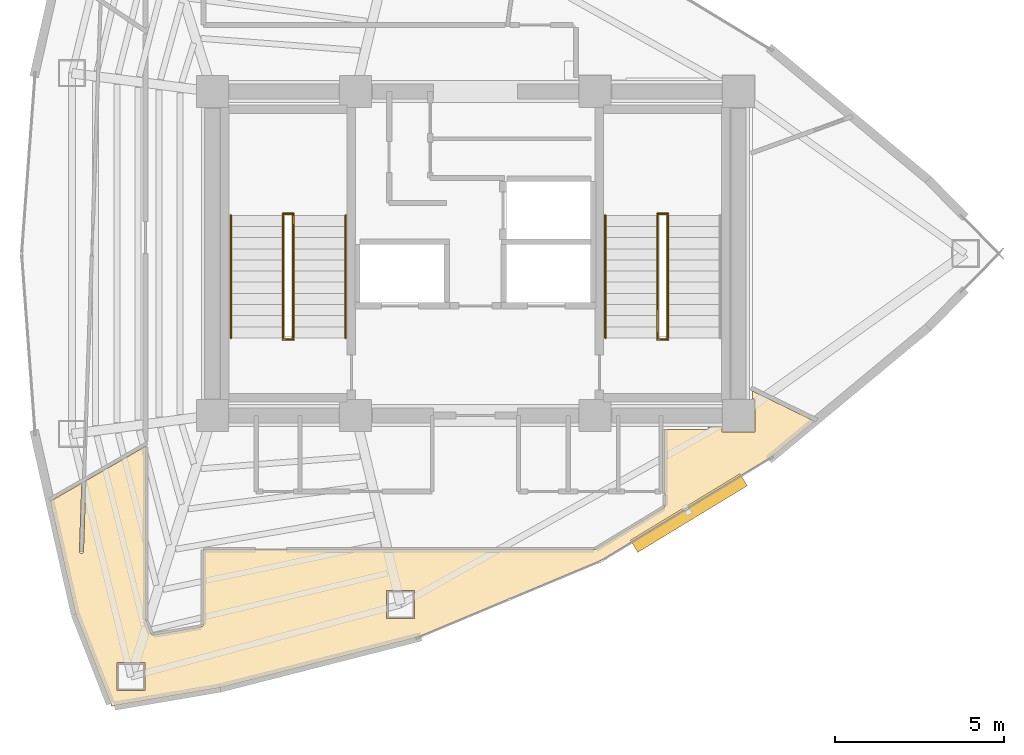
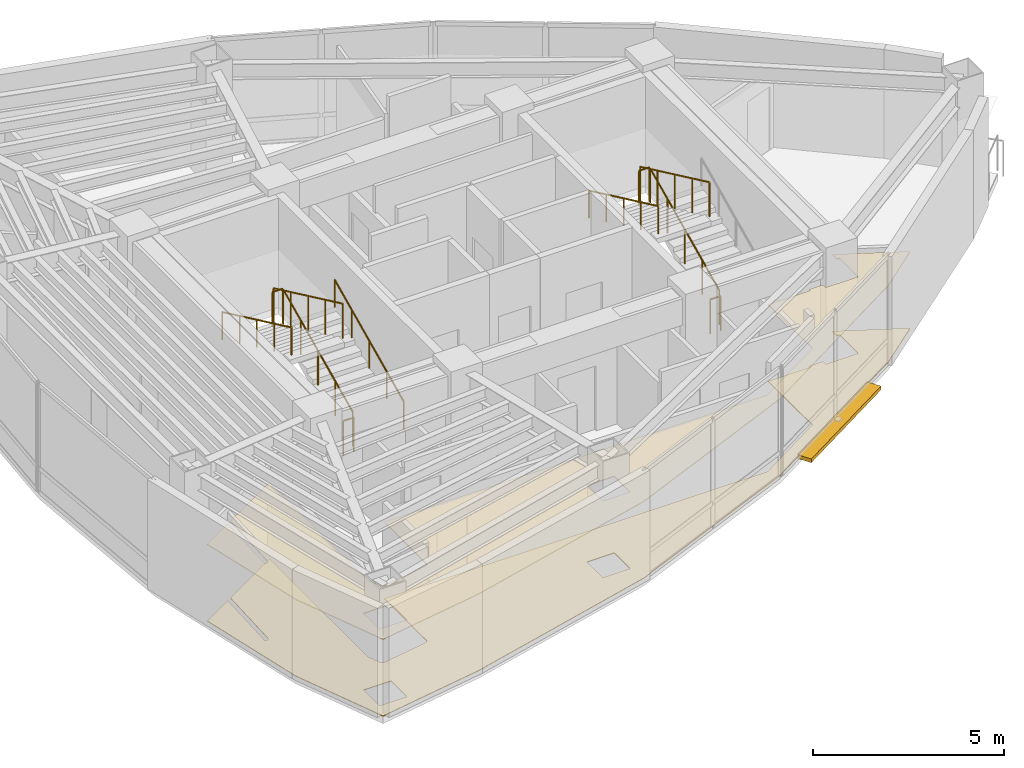
# One storey, part 14 of 16: 11 railings, 2 coverings, 1 shading device.
"""IFC4 building model written with IfcOpenShell, lengths in metres."""

from ifc_helpers import new_model, si_unit, direction, frame, origin, origin_2d, place, context, subcontext, project, spatial, polyline, rectangle, circle, outline, extrude, material, layer, layer_set, type_object, element, save


model = new_model("IFC4")

# Units and contexts
model_context = context("Model", 3, precision=1e-05, world=origin(), true_north=direction((0.0, 1.0)))
body_context = subcontext(model_context, "Body", "Model", "MODEL_VIEW")
ifc_project = project(units=[si_unit("LENGTHUNIT", "METRE"), si_unit("AREAUNIT", "SQUARE_METRE"), si_unit("VOLUMEUNIT", "CUBIC_METRE"), si_unit("PLANEANGLEUNIT", "RADIAN"), si_unit("MASSUNIT", "GRAM", prefix="KILO")], contexts=[model_context])

# Site, building, storey
site_placement = place(None, origin())
site = spatial("IfcSite", under=ifc_project, at=site_placement, CompositionType="ELEMENT")
building_placement = place(site_placement, origin())
building = spatial("IfcBuilding", under=site, at=building_placement, Name="Menara Vayukalpa", CompositionType="ELEMENT")
storey_placement = place(building_placement, frame((0.0, 0.0, 280.6201171875)))
storey = spatial("IfcBuildingStorey", under=building, at=storey_placement, Name="L71", CompositionType="ELEMENT", Elevation=280.6201171875)

# Coverings
ifc_material_1 = material(Name="Mineral Fibre Acoustic Ceiling Tile", Category="masonry")
ifc_layer_1 = layer(ifc_material_1, 0.02490234375)
ifc_layer_set_1 = layer_set([ifc_layer_1], Name="Mineral Fibre Acoustic Ceiling Tile")
covering_type_1 = type_object("IfcCoveringType", Name="COV-CLG1", PredefinedType="CEILING", material=ifc_layer_set_1)
covering_1_placement = place(storey_placement, frame((0.0, 0.0, 2.449951171875)))
element("IfcCovering", 1, at=covering_1_placement, inside=storey, type_object=covering_type_1, Name="L71 Client Conference Room Acoustic Ceiling", PredefinedType="CEILING", context=body_context, shape_type="SweptSolid", body=[
    extrude(outline(polyline([(23.878662109375, 10.624755859375), (23.877197265625, 10.624267578125), (18.028564453125, 9.1328125), (18.027587890625, 9.132568359375), (14.82861328125, 8.58935546875), (14.827392578125, 8.589111328125), (14.826416015625, 8.589111328125), (14.82568359375, 8.58935546875), (14.82470703125, 8.58935546875), (14.82373046875, 8.589599609375), (14.82275390625, 8.590087890625), (14.822021484375, 8.590576171875), (14.821044921875, 8.591064453125), (14.8203125, 8.591552734375), (14.819580078125, 8.59228515625), (14.81884765625, 8.593017578125), (14.818359375, 8.59375), (14.81787109375, 8.5947265625), (14.8173828125, 8.595458984375), (13.751953125, 11.308837890625), (13.751708984375, 11.309814453125), (13.75146484375, 11.310302734375), (13.00048828125, 14.648193359375), (13.000244140625, 14.649169921875), (13.000244140625, 14.650146484375), (13.000244140625, 14.651123046875), (13.000244140625, 14.652099609375), (13.00048828125, 14.653076171875), (13.0009765625, 14.654052734375), (13.001220703125, 14.65478515625), (13.001708984375, 14.65576171875), (13.002197265625, 14.656494140625), (13.0029296875, 14.6572265625), (13.003662109375, 14.657958984375), (13.00439453125, 14.658447265625), (13.005126953125, 14.6591796875), (13.916015625, 15.184814453125), (13.916748046875, 15.185302734375), (13.917724609375, 15.185791015625), (13.918701171875, 15.185791015625), (13.91943359375, 15.18603515625), (13.92041015625, 15.186279296875), (13.92138671875, 15.186279296875), (13.92236328125, 15.18603515625), (13.92333984375, 15.185791015625), (13.92431640625, 15.185546875), (13.92529296875, 15.185302734375), (13.926025390625, 15.184814453125), (13.927001953125, 15.18408203125), (13.927490234375, 15.18359375), (13.92822265625, 15.182861328125), (13.928955078125, 15.18212890625), (13.929443359375, 15.181396484375), (13.929931640625, 15.180419921875), (13.930419921875, 15.1796875), (13.9306640625, 15.1787109375), (13.930908203125, 15.177734375), (13.930908203125, 15.1767578125), (13.930908203125, 15.17578125), (13.861083984375, 13.17333984375), (13.861083984375, 13.167236328125), (13.86181640625, 13.161376953125), (13.863037109375, 13.155517578125), (13.86474609375, 13.14990234375), (13.8671875, 13.14453125), (13.869873046875, 13.139404296875), (13.873291015625, 13.134521484375), (13.876953125, 13.130126953125), (13.881103515625, 13.1259765625), (13.8857421875, 13.122314453125), (13.890869140625, 13.119140625), (13.89599609375, 13.116455078125), (13.901611328125, 13.1142578125), (13.9072265625, 13.112548828125), (13.912841796875, 13.111572265625), (13.918701171875, 13.111083984375), (13.9248046875, 13.111083984375), (13.9306640625, 13.11181640625), (13.936279296875, 13.113037109375), (13.94189453125, 13.114990234375), (13.947265625, 13.1171875), (13.952392578125, 13.1201171875), (13.95751953125, 13.123291015625), (13.9619140625, 13.127197265625), (13.9658203125, 13.13134765625), (13.969482421875, 13.135986328125), (13.972900390625, 13.140869140625), (13.9755859375, 13.14599609375), (13.9775390625, 13.151611328125), (13.9794921875, 13.1572265625), (13.98046875, 13.1630859375), (13.98095703125, 13.169189453125), (14.053955078125, 15.259033203125), (14.053955078125, 15.26025390625), (14.05419921875, 15.26123046875), (14.054443359375, 15.26220703125), (14.054931640625, 15.26318359375), (14.055419921875, 15.263916015625), (14.055908203125, 15.264892578125), (14.056396484375, 15.265625), (14.057373046875, 15.266357421875), (14.05810546875, 15.266845703125), (14.058837890625, 15.267578125), (15.81494140625, 16.281494140625), (15.81591796875, 16.28173828125), (15.81689453125, 16.2822265625), (15.81787109375, 16.282470703125), (15.81884765625, 16.28271484375), (15.81982421875, 16.28271484375), (15.82080078125, 16.28271484375), (15.82177734375, 16.282470703125), (15.82275390625, 16.2822265625), (15.82373046875, 16.281982421875), (15.82470703125, 16.281494140625), (15.825439453125, 16.281005859375), (15.826171875, 16.280517578125), (15.826904296875, 16.27978515625), (15.82763671875, 16.279052734375), (15.828369140625, 16.2783203125), (15.828857421875, 16.277587890625), (15.8291015625, 16.276611328125), (15.82958984375, 16.275634765625), (15.829833984375, 16.274658203125), (15.830078125, 16.273681640625), (15.830078125, 16.272705078125), (15.830078125, 11.146484375), (15.830322265625, 11.1396484375), (15.831298828125, 11.13330078125), (15.832763671875, 11.126708984375), (15.8349609375, 11.12060546875), (15.984619140625, 10.7392578125), (15.987548828125, 10.732666015625), (15.990966796875, 10.726806640625), (15.994873046875, 10.72119140625), (15.999267578125, 10.716064453125), (16.00439453125, 10.71142578125), (16.009765625, 10.707275390625), (16.015625, 10.70361328125), (16.021484375, 10.700439453125), (16.02783203125, 10.697998046875), (16.034423828125, 10.6962890625), (16.041259765625, 10.695068359375), (16.048095703125, 10.694580078125), (16.054931640625, 10.694580078125), (16.06201171875, 10.695556640625), (17.471435546875, 10.934814453125), (17.478515625, 10.936279296875), (17.485107421875, 10.938720703125), (17.49169921875, 10.94140625), (17.497802734375, 10.94482421875), (17.50341796875, 10.94921875), (17.5087890625, 10.95361328125), (17.513427734375, 10.958740234375), (17.517822265625, 10.96435546875), (17.521484375, 10.97021484375), (17.5244140625, 10.9765625), (17.52685546875, 10.983154296875), (17.528564453125, 10.989990234375), (17.529541015625, 10.996826171875), (17.530029296875, 11.004150390625), (17.530029296875, 13.2099609375), (17.530029296875, 13.2109375), (17.5302734375, 13.2119140625), (17.530517578125, 13.212890625), (17.53076171875, 13.2138671875), (17.53125, 13.214599609375), (17.53173828125, 13.215576171875), (17.5322265625, 13.21630859375), (17.532958984375, 13.217041015625), (17.53369140625, 13.2177734375), (17.534423828125, 13.21826171875), (17.535400390625, 13.21875), (17.5361328125, 13.21923828125), (17.537109375, 13.219482421875), (17.5380859375, 13.2197265625), (17.5390625, 13.219970703125), (17.5400390625, 13.219970703125), (29.109619140625, 13.219970703125), (29.11669921875, 13.220458984375), (29.12353515625, 13.221435546875), (29.13037109375, 13.22314453125), (29.13720703125, 13.2255859375), (29.153076171875, 13.232177734375), (29.157958984375, 13.234375), (29.16259765625, 13.237060546875), (31.18603515625, 14.46630859375), (31.1923828125, 14.470458984375), (31.19775390625, 14.47509765625), (31.20263671875, 14.480224609375), (31.20703125, 14.48583984375), (31.2109375, 14.491943359375), (31.214111328125, 14.498291015625), (31.216552734375, 14.5048828125), (31.218505859375, 14.511962890625), (31.219482421875, 14.51904296875), (31.219970703125, 14.5263671875), (31.219970703125, 14.849609375), (31.219482421875, 14.856689453125), (31.21875, 14.86376953125), (31.217041015625, 14.870361328125), (31.214599609375, 14.876708984375), (31.2119140625, 14.8828125), (31.211669921875, 14.883056640625), (31.211181640625, 14.8837890625), (31.210693359375, 14.884765625), (31.21044921875, 14.8857421875), (31.210205078125, 14.88671875), (31.2099609375, 14.8876953125), (31.2099609375, 14.888671875), (31.2099609375, 16.780029296875), (31.2099609375, 16.781005859375), (31.210205078125, 16.781982421875), (31.21044921875, 16.782958984375), (31.210693359375, 16.78369140625), (31.211181640625, 16.78466796875), (31.211669921875, 16.78564453125), (31.21240234375, 16.786376953125), (31.212890625, 16.787109375), (31.213623046875, 16.78759765625), (31.21435546875, 16.788330078125), (31.21533203125, 16.788818359375), (31.21630859375, 16.789306640625), (31.217041015625, 16.78955078125), (31.218017578125, 16.789794921875), (31.218994140625, 16.7900390625), (31.219970703125, 16.7900390625), (32.489990234375, 16.7900390625), (32.489990234375, 16.85009765625), (32.909912109375, 16.85009765625), (32.909912109375, 16.7099609375), (33.889892578125, 16.7099609375), (33.889892578125, 17.68994140625), (33.81005859375, 17.68994140625), (33.81005859375, 17.9130859375), (33.81005859375, 17.9140625), (33.810302734375, 17.914794921875), (33.810302734375, 17.916015625), (33.810791015625, 17.916748046875), (33.81103515625, 17.91748046875), (33.8115234375, 17.91845703125), (33.812255859375, 17.919189453125), (33.812744140625, 17.919921875), (33.8134765625, 17.920654296875), (33.814208984375, 17.921142578125), (33.815185546875, 17.921630859375), (33.81591796875, 17.922119140625), (33.81689453125, 17.922607421875), (33.81787109375, 17.9228515625), (33.81884765625, 17.9228515625), (33.819580078125, 17.923095703125), (33.82080078125, 17.923095703125), (33.821533203125, 17.9228515625), (33.822509765625, 17.922607421875), (33.823486328125, 17.92236328125), (33.824462890625, 17.922119140625), (35.638916015625, 17.037109375), (35.6396484375, 17.03662109375), (35.640380859375, 17.035888671875), (35.64111328125, 17.035400390625), (35.641845703125, 17.03466796875), (35.642578125, 17.03369140625), (35.64306640625, 17.032958984375), (35.6435546875, 17.031982421875), (35.643798828125, 17.031005859375), (35.644287109375, 17.0302734375), (35.644287109375, 17.029296875), (35.644287109375, 17.0283203125), (35.644287109375, 17.027099609375), (35.644287109375, 17.026123046875), (35.64404296875, 17.025146484375), (35.643798828125, 17.0244140625), (35.643310546875, 17.0234375), (35.642822265625, 17.0224609375), (35.64208984375, 17.021728515625), (35.6416015625, 17.02099609375), (35.640869140625, 17.020263671875), (34.374755859375, 15.97021484375), (34.37353515625, 15.969482421875), (29.3271484375, 12.904052734375), (29.326416015625, 12.90380859375), (29.32568359375, 12.9033203125), (23.878662109375, 10.624755859375)]), holes=[polyline([(14.97412109375, 9.870361328125), (14.97412109375, 9.040283203125), (15.80419921875, 9.040283203125), (15.80419921875, 9.870361328125), (14.97412109375, 9.870361328125)]), polyline([(23.796875, 12.01025390625), (22.966796875, 12.01025390625), (22.966796875, 11.18017578125), (23.796875, 11.18017578125), (23.796875, 12.01025390625)])]), origin(), (0.0, 0.0, 1.0), 0.02490234375),
])
ifc_material_2 = material(Name="Porcelain Stoneware Floor Tile", Category="masonry")
ifc_layer_2 = layer(ifc_material_2, 0.02001953125)
ifc_layer_set_2 = layer_set([ifc_layer_2], Name="Porcelain Stoneware Floor Tile")
covering_type_2 = type_object("IfcCoveringType", Name="COV-FLR1", PredefinedType="FLOORING", material=ifc_layer_set_2)
covering_2_placement = place(storey_placement, origin())
element("IfcCovering", 2, at=covering_2_placement, inside=storey, type_object=covering_type_2, Name="L71 Client Conference Room Porcelain Flooring", PredefinedType="FLOORING", context=body_context, shape_type="SweptSolid", body=[
    extrude(outline(polyline([(23.878662109375, 10.624755859375), (23.877197265625, 10.624267578125), (18.028564453125, 9.1328125), (18.027587890625, 9.132568359375), (14.82861328125, 8.58935546875), (14.827392578125, 8.589111328125), (14.826416015625, 8.589111328125), (14.82568359375, 8.58935546875), (14.82470703125, 8.58935546875), (14.82373046875, 8.589599609375), (14.82275390625, 8.590087890625), (14.822021484375, 8.590576171875), (14.821044921875, 8.591064453125), (14.8203125, 8.591552734375), (14.819580078125, 8.59228515625), (14.81884765625, 8.593017578125), (14.818359375, 8.59375), (14.81787109375, 8.5947265625), (14.8173828125, 8.595458984375), (13.751953125, 11.308837890625), (13.751708984375, 11.309814453125), (13.75146484375, 11.310302734375), (13.00048828125, 14.648193359375), (13.000244140625, 14.649169921875), (13.000244140625, 14.650146484375), (13.000244140625, 14.651123046875), (13.000244140625, 14.652099609375), (13.00048828125, 14.653076171875), (13.0009765625, 14.654052734375), (13.001220703125, 14.65478515625), (13.001708984375, 14.65576171875), (13.002197265625, 14.656494140625), (13.0029296875, 14.6572265625), (13.003662109375, 14.657958984375), (13.00439453125, 14.658447265625), (13.005126953125, 14.6591796875), (13.916015625, 15.184814453125), (13.916748046875, 15.185302734375), (13.917724609375, 15.185791015625), (13.918701171875, 15.185791015625), (13.91943359375, 15.18603515625), (13.92041015625, 15.186279296875), (13.92138671875, 15.186279296875), (13.92236328125, 15.18603515625), (13.92333984375, 15.185791015625), (13.92431640625, 15.185546875), (13.92529296875, 15.185302734375), (13.926025390625, 15.184814453125), (13.927001953125, 15.18408203125), (13.927490234375, 15.18359375), (13.92822265625, 15.182861328125), (13.928955078125, 15.18212890625), (13.929443359375, 15.181396484375), (13.929931640625, 15.180419921875), (13.930419921875, 15.1796875), (13.9306640625, 15.1787109375), (13.930908203125, 15.177734375), (13.930908203125, 15.1767578125), (13.930908203125, 15.17578125), (13.861083984375, 13.17333984375), (13.861083984375, 13.167236328125), (13.86181640625, 13.161376953125), (13.863037109375, 13.155517578125), (13.86474609375, 13.14990234375), (13.8671875, 13.14453125), (13.869873046875, 13.139404296875), (13.873291015625, 13.134521484375), (13.876953125, 13.130126953125), (13.881103515625, 13.1259765625), (13.8857421875, 13.122314453125), (13.890869140625, 13.119140625), (13.89599609375, 13.116455078125), (13.901611328125, 13.1142578125), (13.9072265625, 13.112548828125), (13.912841796875, 13.111572265625), (13.918701171875, 13.111083984375), (13.9248046875, 13.111083984375), (13.9306640625, 13.11181640625), (13.936279296875, 13.113037109375), (13.94189453125, 13.114990234375), (13.947265625, 13.1171875), (13.952392578125, 13.1201171875), (13.95751953125, 13.123291015625), (13.9619140625, 13.127197265625), (13.9658203125, 13.13134765625), (13.969482421875, 13.135986328125), (13.972900390625, 13.140869140625), (13.9755859375, 13.14599609375), (13.9775390625, 13.151611328125), (13.9794921875, 13.1572265625), (13.98046875, 13.1630859375), (13.98095703125, 13.169189453125), (14.053955078125, 15.259033203125), (14.053955078125, 15.26025390625), (14.05419921875, 15.26123046875), (14.054443359375, 15.26220703125), (14.054931640625, 15.26318359375), (14.055419921875, 15.263916015625), (14.055908203125, 15.264892578125), (14.056396484375, 15.265625), (14.057373046875, 15.266357421875), (14.05810546875, 15.266845703125), (14.058837890625, 15.267578125), (15.81494140625, 16.281494140625), (15.81591796875, 16.28173828125), (15.81689453125, 16.2822265625), (15.81787109375, 16.282470703125), (15.81884765625, 16.28271484375), (15.81982421875, 16.28271484375), (15.82080078125, 16.28271484375), (15.82177734375, 16.282470703125), (15.82275390625, 16.2822265625), (15.82373046875, 16.281982421875), (15.82470703125, 16.281494140625), (15.825439453125, 16.281005859375), (15.826171875, 16.280517578125), (15.826904296875, 16.27978515625), (15.82763671875, 16.279052734375), (15.828369140625, 16.2783203125), (15.828857421875, 16.277587890625), (15.8291015625, 16.276611328125), (15.82958984375, 16.275634765625), (15.829833984375, 16.274658203125), (15.830078125, 16.273681640625), (15.830078125, 16.272705078125), (15.830078125, 11.146484375), (15.830322265625, 11.1396484375), (15.831298828125, 11.13330078125), (15.832763671875, 11.126708984375), (15.8349609375, 11.12060546875), (15.984619140625, 10.7392578125), (15.987548828125, 10.732666015625), (15.990966796875, 10.726806640625), (15.994873046875, 10.72119140625), (15.999267578125, 10.716064453125), (16.00439453125, 10.71142578125), (16.009765625, 10.707275390625), (16.015625, 10.70361328125), (16.021484375, 10.700439453125), (16.02783203125, 10.697998046875), (16.034423828125, 10.6962890625), (16.041259765625, 10.695068359375), (16.048095703125, 10.694580078125), (16.054931640625, 10.694580078125), (16.06201171875, 10.695556640625), (17.471435546875, 10.934814453125), (17.478515625, 10.936279296875), (17.485107421875, 10.938720703125), (17.49169921875, 10.94140625), (17.497802734375, 10.94482421875), (17.50341796875, 10.94921875), (17.5087890625, 10.95361328125), (17.513427734375, 10.958740234375), (17.517822265625, 10.96435546875), (17.521484375, 10.97021484375), (17.5244140625, 10.9765625), (17.52685546875, 10.983154296875), (17.528564453125, 10.989990234375), (17.529541015625, 10.996826171875), (17.530029296875, 11.004150390625), (17.530029296875, 13.2099609375), (17.530029296875, 13.2109375), (17.5302734375, 13.2119140625), (17.530517578125, 13.212890625), (17.53076171875, 13.2138671875), (17.53125, 13.214599609375), (17.53173828125, 13.215576171875), (17.5322265625, 13.21630859375), (17.532958984375, 13.217041015625), (17.53369140625, 13.2177734375), (17.534423828125, 13.21826171875), (17.535400390625, 13.21875), (17.5361328125, 13.21923828125), (17.537109375, 13.219482421875), (17.5380859375, 13.2197265625), (17.5390625, 13.219970703125), (17.5400390625, 13.219970703125), (29.109619140625, 13.219970703125), (29.11669921875, 13.220458984375), (29.12353515625, 13.221435546875), (29.13037109375, 13.22314453125), (29.13720703125, 13.2255859375), (29.153076171875, 13.232177734375), (29.157958984375, 13.234375), (29.16259765625, 13.237060546875), (31.18603515625, 14.46630859375), (31.1923828125, 14.470458984375), (31.19775390625, 14.47509765625), (31.20263671875, 14.480224609375), (31.20703125, 14.48583984375), (31.2109375, 14.491943359375), (31.214111328125, 14.498291015625), (31.216552734375, 14.5048828125), (31.218505859375, 14.511962890625), (31.219482421875, 14.51904296875), (31.219970703125, 14.5263671875), (31.219970703125, 14.849609375), (31.219482421875, 14.856689453125), (31.21875, 14.86376953125), (31.217041015625, 14.870361328125), (31.214599609375, 14.876708984375), (31.2119140625, 14.8828125), (31.211669921875, 14.883056640625), (31.211181640625, 14.8837890625), (31.210693359375, 14.884765625), (31.21044921875, 14.8857421875), (31.210205078125, 14.88671875), (31.2099609375, 14.8876953125), (31.2099609375, 14.888671875), (31.2099609375, 16.780029296875), (31.2099609375, 16.781005859375), (31.210205078125, 16.781982421875), (31.21044921875, 16.782958984375), (31.210693359375, 16.78369140625), (31.211181640625, 16.78466796875), (31.211669921875, 16.78564453125), (31.21240234375, 16.786376953125), (31.212890625, 16.787109375), (31.213623046875, 16.78759765625), (31.21435546875, 16.788330078125), (31.21533203125, 16.788818359375), (31.21630859375, 16.789306640625), (31.217041015625, 16.78955078125), (31.218017578125, 16.789794921875), (31.218994140625, 16.7900390625), (31.219970703125, 16.7900390625), (32.489990234375, 16.7900390625), (32.489990234375, 16.85009765625), (32.909912109375, 16.85009765625), (32.909912109375, 16.7099609375), (33.889892578125, 16.7099609375), (33.889892578125, 17.68994140625), (33.81005859375, 17.68994140625), (33.81005859375, 17.9130859375), (33.81005859375, 17.9140625), (33.810302734375, 17.914794921875), (33.810302734375, 17.916015625), (33.810791015625, 17.916748046875), (33.81103515625, 17.91748046875), (33.8115234375, 17.91845703125), (33.812255859375, 17.919189453125), (33.812744140625, 17.919921875), (33.8134765625, 17.920654296875), (33.814208984375, 17.921142578125), (33.815185546875, 17.921630859375), (33.81591796875, 17.922119140625), (33.81689453125, 17.922607421875), (33.81787109375, 17.9228515625), (33.81884765625, 17.9228515625), (33.819580078125, 17.923095703125), (33.82080078125, 17.923095703125), (33.821533203125, 17.9228515625), (33.822509765625, 17.922607421875), (33.823486328125, 17.92236328125), (33.824462890625, 17.922119140625), (35.638916015625, 17.037109375), (35.6396484375, 17.03662109375), (35.640380859375, 17.035888671875), (35.64111328125, 17.035400390625), (35.641845703125, 17.03466796875), (35.642578125, 17.03369140625), (35.64306640625, 17.032958984375), (35.6435546875, 17.031982421875), (35.643798828125, 17.031005859375), (35.644287109375, 17.0302734375), (35.644287109375, 17.029296875), (35.644287109375, 17.0283203125), (35.644287109375, 17.027099609375), (35.644287109375, 17.026123046875), (35.64404296875, 17.025146484375), (35.643798828125, 17.0244140625), (35.643310546875, 17.0234375), (35.642822265625, 17.0224609375), (35.64208984375, 17.021728515625), (35.6416015625, 17.02099609375), (35.640869140625, 17.020263671875), (34.374755859375, 15.97021484375), (34.37353515625, 15.969482421875), (29.3271484375, 12.904052734375), (29.326416015625, 12.90380859375), (29.32568359375, 12.9033203125), (23.878662109375, 10.624755859375)]), holes=[polyline([(14.97412109375, 9.870361328125), (14.97412109375, 9.040283203125), (15.80419921875, 9.040283203125), (15.80419921875, 9.870361328125), (14.97412109375, 9.870361328125)]), polyline([(23.796875, 12.01025390625), (22.966796875, 12.01025390625), (22.966796875, 11.18017578125), (23.796875, 11.18017578125), (23.796875, 12.01025390625)])]), origin(), (0.0, 0.0, 1.0), 0.019775390625),
])

# Railings
ifc_material_3 = material(Name="Powder-Coated Galvanised Steel Guardrail", Category="steel")
railing_type_1 = type_object("IfcRailingType", Name="RLG-STG110", PredefinedType="GUARDRAIL", material=ifc_material_3)
railing_1_placement = place(storey_placement, frame((20.199951171875, 19.5, 0.15478515625)))
element("IfcRailing", 3, at=railing_1_placement, inside=storey, type_object=railing_type_1, Name="L71 ST-1 stair guard 1", PredefinedType="GUARDRAIL", context=body_context, shape_type="SweptSolid", body=[
    extrude(circle(Radius=0.02392578125, at=origin_2d()), frame((0.0, 0.0, 1.09619140625), z_axis=(0.0, 0.90511648382, 0.425163675209), x_axis=(-1.0, 0.0, 0.0)), (0.0, 0.0, 1.0), 4.010498046875),
    extrude(circle(Radius=0.02099609375, at=origin_2d()), origin(), (0.0, 0.0, 1.0), 1.072021484375),
    extrude(circle(Radius=0.02099609375, at=origin_2d()), frame((0.0, 0.907470703125, 0.42626953125)), (0.0, 0.0, 1.0), 1.072021484375),
    extrude(circle(Radius=0.02099609375, at=origin_2d()), frame((0.0, 1.81494140625, 0.8525390625)), (0.0, 0.0, 1.0), 1.072021484375),
    extrude(circle(Radius=0.02099609375, at=origin_2d()), frame((0.0, 2.722412109375, 1.27880859375)), (0.0, 0.0, 1.0), 1.072021484375),
    extrude(circle(Radius=0.02099609375, at=origin_2d()), frame((0.0, 3.6298828125, 1.705078125)), (0.0, 0.0, 1.0), 1.072021484375),
])
railing_2_placement = place(storey_placement, frame((20.2099609375, 23.179931640625, 1.85986328125)))
element("IfcRailing", 4, at=railing_2_placement, inside=storey, type_object=railing_type_1, Name="L71 ST-1 stair guard 2", PredefinedType="GUARDRAIL", context=body_context, shape_type="SweptSolid", body=[
    extrude(circle(Radius=0.02392578125, at=origin_2d()), frame((0.0, 0.0, 1.09619140625), z_axis=(-1.0, 0.0, 0.0), x_axis=(0.0, -1.0, 0.0)), (0.0, 0.0, 1.0), 0.320068359375),
    extrude(circle(Radius=0.02099609375, at=origin_2d()), origin(), (0.0, 0.0, 1.0), 1.072021484375),
    extrude(circle(Radius=0.02099609375, at=origin_2d()), frame((-0.320068359375, 0.0, 0.0)), (0.0, 0.0, 1.0), 1.072021484375),
])
railing_3_placement = place(storey_placement, frame((19.89990234375, 23.1298828125, 2.014892578125)))
element("IfcRailing", 5, at=railing_3_placement, inside=storey, type_object=railing_type_1, Name="L71 ST-1 stair guard 3", PredefinedType="GUARDRAIL", context=body_context, shape_type="SweptSolid", body=[
    extrude(circle(Radius=0.02392578125, at=origin_2d()), frame((0.0, 0.0, 1.09619140625), z_axis=(0.0, -0.90511648382, 0.425163675209), x_axis=(1.0, 0.0, 0.0)), (0.0, 0.0, 1.0), 4.010498046875),
    extrude(circle(Radius=0.02099609375, at=origin_2d()), origin(), (0.0, 0.0, 1.0), 1.072021484375),
    extrude(circle(Radius=0.02099609375, at=origin_2d()), frame((0.0, -0.907470703125, 0.42626953125)), (0.0, 0.0, 1.0), 1.072021484375),
    extrude(circle(Radius=0.02099609375, at=origin_2d()), frame((0.0, -1.81494140625, 0.8525390625)), (0.0, 0.0, 1.0), 1.072021484375),
    extrude(circle(Radius=0.02099609375, at=origin_2d()), frame((0.0, -2.722412109375, 1.27880859375)), (0.0, 0.0, 1.0), 1.072021484375),
    extrude(circle(Radius=0.02099609375, at=origin_2d()), frame((0.0, -3.6298828125, 1.705078125)), (0.0, 0.0, 1.0), 1.072021484375),
])
railing_4_placement = place(storey_placement, frame((20.2099609375, 19.449951171875, 0.0)))
element("IfcRailing", 6, at=railing_4_placement, inside=storey, type_object=railing_type_1, Name="L71 ST-1 stair guard 4", PredefinedType="GUARDRAIL", context=body_context, shape_type="SweptSolid", body=[
    extrude(circle(Radius=0.02392578125, at=origin_2d()), frame((0.0, 0.0, 1.09619140625), z_axis=(-1.0, 0.0, 0.0), x_axis=(0.0, -1.0, 0.0)), (0.0, 0.0, 1.0), 0.320068359375),
    extrude(circle(Radius=0.02099609375, at=origin_2d()), origin(), (0.0, 0.0, 1.0), 1.072021484375),
    extrude(circle(Radius=0.02099609375, at=origin_2d()), frame((-0.320068359375, 0.0, 0.0)), (0.0, 0.0, 1.0), 1.072021484375),
])
railing_5_placement = place(storey_placement, frame((31.300048828125, 19.5, 0.15478515625)))
element("IfcRailing", 7, at=railing_5_placement, inside=storey, type_object=railing_type_1, Name="L71 ST-2 stair guard 1", PredefinedType="GUARDRAIL", context=body_context, shape_type="SweptSolid", body=[
    extrude(circle(Radius=0.02392578125, at=origin_2d()), frame((0.0, 0.0, 1.09619140625), z_axis=(0.0, 0.90511648382, 0.425163675209), x_axis=(-1.0, 0.0, 0.0)), (0.0, 0.0, 1.0), 4.010498046875),
    extrude(circle(Radius=0.02099609375, at=origin_2d()), origin(), (0.0, 0.0, 1.0), 1.072021484375),
    extrude(circle(Radius=0.02099609375, at=origin_2d()), frame((0.0, 0.907470703125, 0.42626953125)), (0.0, 0.0, 1.0), 1.072021484375),
    extrude(circle(Radius=0.02099609375, at=origin_2d()), frame((0.0, 1.81494140625, 0.8525390625)), (0.0, 0.0, 1.0), 1.072021484375),
    extrude(circle(Radius=0.02099609375, at=origin_2d()), frame((0.0, 2.722412109375, 1.27880859375)), (0.0, 0.0, 1.0), 1.072021484375),
    extrude(circle(Radius=0.02099609375, at=origin_2d()), frame((0.0, 3.6298828125, 1.705078125)), (0.0, 0.0, 1.0), 1.072021484375),
])
railing_6_placement = place(storey_placement, frame((31.31005859375, 23.179931640625, 1.85986328125)))
element("IfcRailing", 8, at=railing_6_placement, inside=storey, type_object=railing_type_1, Name="L71 ST-2 stair guard 2", PredefinedType="GUARDRAIL", context=body_context, shape_type="SweptSolid", body=[
    extrude(circle(Radius=0.02392578125, at=origin_2d()), frame((0.0, 0.0, 1.09619140625), z_axis=(-1.0, 0.0, 0.0), x_axis=(0.0, -1.0, 0.0)), (0.0, 0.0, 1.0), 0.320068359375),
    extrude(circle(Radius=0.02099609375, at=origin_2d()), origin(), (0.0, 0.0, 1.0), 1.072021484375),
    extrude(circle(Radius=0.02099609375, at=origin_2d()), frame((-0.320068359375, 0.0, 0.0)), (0.0, 0.0, 1.0), 1.072021484375),
])
railing_7_placement = place(storey_placement, frame((31.0, 23.1298828125, 2.014892578125)))
element("IfcRailing", 9, at=railing_7_placement, inside=storey, type_object=railing_type_1, Name="L71 ST-2 stair guard 3", PredefinedType="GUARDRAIL", context=body_context, shape_type="SweptSolid", body=[
    extrude(circle(Radius=0.02392578125, at=origin_2d()), frame((0.0, 0.0, 1.09619140625), z_axis=(0.0, -0.90511648382, 0.425163675209), x_axis=(1.0, 0.0, 0.0)), (0.0, 0.0, 1.0), 4.010498046875),
    extrude(circle(Radius=0.02099609375, at=origin_2d()), origin(), (0.0, 0.0, 1.0), 1.072021484375),
    extrude(circle(Radius=0.02099609375, at=origin_2d()), frame((0.0, -0.907470703125, 0.42626953125)), (0.0, 0.0, 1.0), 1.072021484375),
    extrude(circle(Radius=0.02099609375, at=origin_2d()), frame((0.0, -1.81494140625, 0.8525390625)), (0.0, 0.0, 1.0), 1.072021484375),
    extrude(circle(Radius=0.02099609375, at=origin_2d()), frame((0.0, -2.722412109375, 1.27880859375)), (0.0, 0.0, 1.0), 1.072021484375),
    extrude(circle(Radius=0.02099609375, at=origin_2d()), frame((0.0, -3.6298828125, 1.705078125)), (0.0, 0.0, 1.0), 1.072021484375),
])
railing_8_placement = place(storey_placement, frame((31.31005859375, 19.449951171875, 0.0)))
element("IfcRailing", 10, at=railing_8_placement, inside=storey, type_object=railing_type_1, Name="L71 ST-2 stair guard 4", PredefinedType="GUARDRAIL", context=body_context, shape_type="SweptSolid", body=[
    extrude(circle(Radius=0.02392578125, at=origin_2d()), frame((0.0, 0.0, 1.09619140625), z_axis=(-1.0, 0.0, 0.0), x_axis=(0.0, -1.0, 0.0)), (0.0, 0.0, 1.0), 0.320068359375),
    extrude(circle(Radius=0.02099609375, at=origin_2d()), origin(), (0.0, 0.0, 1.0), 1.072021484375),
    extrude(circle(Radius=0.02099609375, at=origin_2d()), frame((-0.320068359375, 0.0, 0.0)), (0.0, 0.0, 1.0), 1.072021484375),
])
ifc_material_4 = material(Name="Stainless Steel 316 Tubular Handrail", Category="steel")
railing_type_2 = type_object("IfcRailingType", Name="RLG-STH090", PredefinedType="HANDRAIL", material=ifc_material_4)
railing_9_placement = place(storey_placement, frame((21.75, 19.5, 0.15478515625)))
element("IfcRailing", 11, at=railing_9_placement, inside=storey, type_object=railing_type_2, Name="L71 ST-1 stair handrail 1", PredefinedType="HANDRAIL", context=body_context, shape_type="SweptSolid", body=[
    extrude(circle(Radius=0.02392578125, at=origin_2d()), frame((0.0, 0.0, 0.8759765625), z_axis=(0.0, 0.90511648382, 0.425163675209), x_axis=(-1.0, 0.0, 0.0)), (0.0, 0.0, 1.0), 4.010498046875),
    extrude(circle(Radius=0.02099609375, at=origin_2d()), origin(), (0.0, 0.0, 1.0), 0.851806640625),
    extrude(circle(Radius=0.02099609375, at=origin_2d()), frame((0.0, 0.907470703125, 0.42626953125)), (0.0, 0.0, 1.0), 0.851806640625),
    extrude(circle(Radius=0.02099609375, at=origin_2d()), frame((0.0, 1.81494140625, 0.8525390625)), (0.0, 0.0, 1.0), 0.851806640625),
    extrude(circle(Radius=0.02099609375, at=origin_2d()), frame((0.0, 2.722412109375, 1.27880859375)), (0.0, 0.0, 1.0), 0.851806640625),
    extrude(circle(Radius=0.02099609375, at=origin_2d()), frame((0.0, 3.6298828125, 1.705078125)), (0.0, 0.0, 1.0), 0.851806640625),
])
for number, where, name in (
    (12, (18.35009765625, 23.1298828125, 2.014892578125), "L71 ST-1 stair handrail 2"),
    (13, (29.449951171875, 23.1298828125, 2.014892578125), "L71 ST-2 stair handrail 2"),
):
    element("IfcRailing", number, at=place(storey_placement, frame(where)), inside=storey, type_object=railing_type_2, Name=name, PredefinedType="HANDRAIL", context=body_context, shape_type="SweptSolid", body=[
        extrude(circle(Radius=0.02392578125, at=origin_2d()), frame((0.0, 0.0, 0.8759765625), z_axis=(0.0, -0.90511648382, 0.425163675209), x_axis=(1.0, 0.0, 0.0)), (0.0, 0.0, 1.0), 4.010498046875),
        extrude(circle(Radius=0.02099609375, at=origin_2d()), origin(), (0.0, 0.0, 1.0), 0.851806640625),
        extrude(circle(Radius=0.02099609375, at=origin_2d()), frame((0.0, -0.907470703125, 0.42626953125)), (0.0, 0.0, 1.0), 0.851806640625),
        extrude(circle(Radius=0.02099609375, at=origin_2d()), frame((0.0, -1.81494140625, 0.8525390625)), (0.0, 0.0, 1.0), 0.851806640625),
        extrude(circle(Radius=0.02099609375, at=origin_2d()), frame((0.0, -2.722412109375, 1.27880859375)), (0.0, 0.0, 1.0), 0.851806640625),
        extrude(circle(Radius=0.02099609375, at=origin_2d()), frame((0.0, -3.6298828125, 1.705078125)), (0.0, 0.0, 1.0), 0.851806640625),
    ])

# Shading device
ifc_material_5 = material(Name="Glazed Terracotta Ceramic Baguette Extrusion", Category="masonry")
ifc_layer_3 = layer(ifc_material_5, 0.1201171875)
ifc_layer_set_3 = layer_set([ifc_layer_3], Name="Glazed Terracotta Ceramic Baguette Extrusion")
shading_device_type = type_object("IfcShadingDeviceType", Name="SHD-SS1", PredefinedType="USERDEFINED", material=ifc_layer_set_3)
shading_device_placement = place(storey_placement, frame((31.927978515625, 14.30859375, -0.10009765625), z_axis=(0.0, 0.0, 1.0), x_axis=(0.85466730962, 0.519176068272, 0.0)))
element("IfcShadingDevice", 14, at=shading_device_placement, inside=storey, type_object=shading_device_type, Name="L71 Horizontal Terracotta Sunshade Band 17", ObjectType="SUNSHADE", PredefinedType="USERDEFINED", context=body_context, shape_type="SweptSolid", body=[
    extrude(rectangle(XDim=3.800048828125, YDim=0.419921875, at=origin_2d()), origin(), (0.0, 0.0, 1.0), 0.1201171875),
])

save(model, "model.ifc")
